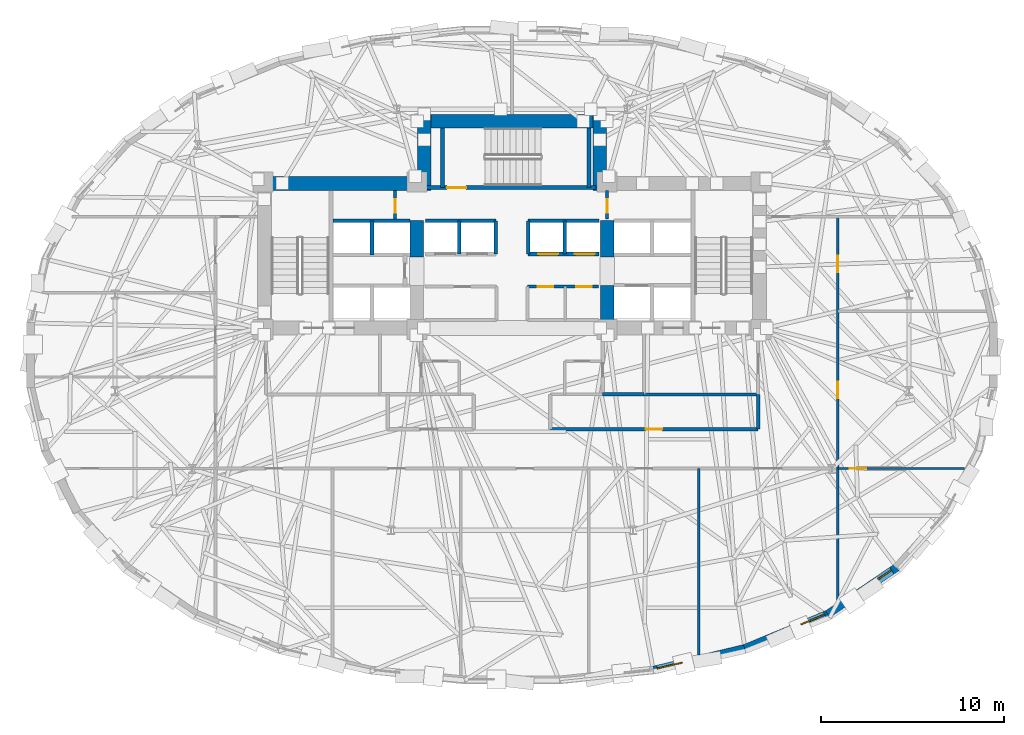
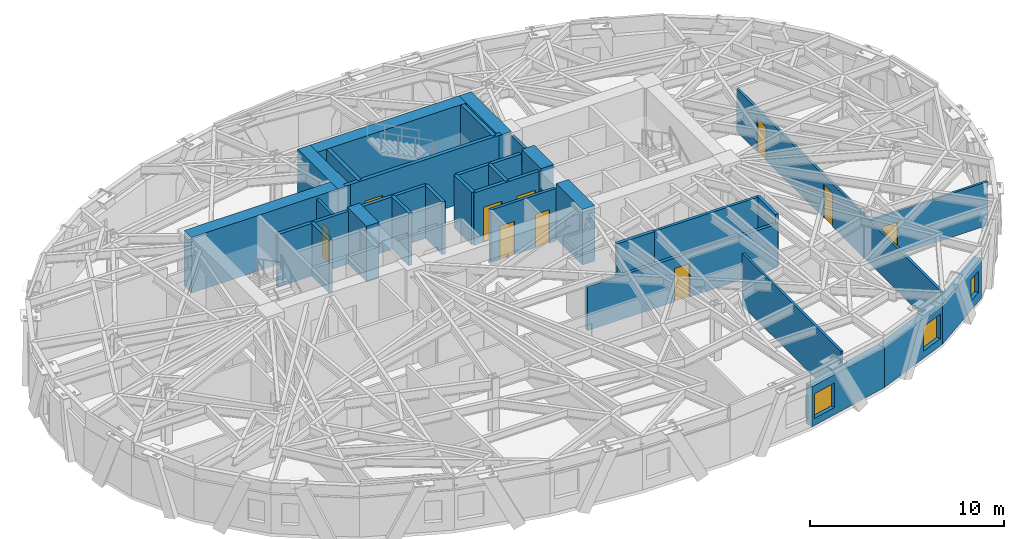
# One storey, part 8 of 14: 32 walls, 11 doors, 3 windows, 14 openings.
"""IFC4 building model written with IfcOpenShell, lengths in metres."""

from ifc_helpers import new_model, si_unit, direction, frame, frame_2d, origin, place, context, subcontext, project, spatial, rectangle, extrude, material, layer, layer_set, type_object, element, fill, save


model = new_model("IFC4")

# Units and contexts
model_context = context("Model", 3, precision=1e-05, world=origin(), true_north=direction((0.0, 1.0)))
body_context = subcontext(model_context, "Body", "Model", "MODEL_VIEW")
ifc_project = project(units=[si_unit("LENGTHUNIT", "METRE"), si_unit("AREAUNIT", "SQUARE_METRE"), si_unit("VOLUMEUNIT", "CUBIC_METRE"), si_unit("PLANEANGLEUNIT", "RADIAN"), si_unit("MASSUNIT", "GRAM", prefix="KILO")], contexts=[model_context])

# Site, building, storey
site_placement = place(None, origin())
site = spatial("IfcSite", under=ifc_project, at=site_placement, CompositionType="ELEMENT")
building_placement = place(site_placement, origin())
building = spatial("IfcBuilding", under=site, at=building_placement, Name="Keldmark Tower", CompositionType="ELEMENT")
storey_placement = place(building_placement, frame((0.0, 0.0, 117.60009765625)))
storey = spatial("IfcBuildingStorey", under=building, at=storey_placement, Name="L31", CompositionType="ELEMENT", Elevation=117.60009765625)

# Wall, openings, doors
ifc_material_1 = material(Name="Acoustic Double-Layer Gypsum Corridor Partition", Category="gypsum")
ifc_layer_1 = layer(ifc_material_1, 0.139892578125)
ifc_layer_set_1 = layer_set([ifc_layer_1], Name="Acoustic Double-Layer Gypsum Corridor Partition")
wall_type_1 = type_object("IfcWallType", Name="Acoustic Corridor Partition 140 mm", PredefinedType="PARTITIONING", material=ifc_layer_set_1)
wall_1_placement = place(storey_placement, frame((17.800048828125, -13.5166015625, 0.0), z_axis=(0.0, 0.0, 1.0), x_axis=(0.0, 1.0, 0.0)))
wall_1 = element("IfcWall", 1, at=wall_1_placement, inside=storey, type_object=wall_type_1, Name="L31 Acoustic Corridor Partition 140 mm COR-E", PredefinedType="PARTITIONING", context=body_context, shape_type="SweptSolid", body=[
    extrude(rectangle(XDim=21.066650390625, YDim=0.139892578125, at=frame_2d((10.533203125, 0.0))), origin(), (0.0, 0.0, 1.0), 2.68798828125),
])
opening_1_placement = place(wall_1_placement, frame((11.16650390625, 0.0, 0.0)))
opening_1 = element("IfcOpeningElement", 2, at=opening_1_placement, cuts=wall_1, Name="Opening D-IN090", PredefinedType="OPENING", context=body_context, shape_type="SweptSolid", body=[
    extrude(rectangle(XDim=0.89990234375, YDim=2.10009765625, at=frame_2d((0.449951171875, 1.050048828125))), frame((0.0, 0.079833984375, 0.0), z_axis=(0.0, -1.0, 0.0), x_axis=(1.0, 0.0, 0.0)), (0.0, 0.0, 1.0), 0.159912109375),
])
opening_2_placement = place(wall_1_placement, frame((18.04150390625, 0.0, 0.0)))
opening_2 = element("IfcOpeningElement", 3, at=opening_2_placement, cuts=wall_1, Name="Opening D-IN090", PredefinedType="OPENING", context=body_context, shape_type="SweptSolid", body=[
    extrude(rectangle(XDim=0.89990234375, YDim=2.10009765625, at=frame_2d((0.449951171875, 1.050048828125))), frame((0.0, 0.079833984375, 0.0), z_axis=(0.0, -1.0, 0.0), x_axis=(1.0, 0.0, 0.0)), (0.0, 0.0, 1.0), 0.159912109375),
])
ifc_material_2 = material(Name="Stained American White Oak Veneer", Category="wood")
door_type_1 = type_object("IfcDoorType", Name="Interior Door 900x2100", OperationType="NOTDEFINED", PredefinedType="DOOR", material=ifc_material_2)
door_1_placement = place(opening_1_placement, origin())
door_1 = element("IfcDoor", 4, at=door_1_placement, inside=storey, type_object=door_type_1, Name="L31 Interior Door 900x2100 D-ER-1-L31", OperationType="SINGLE_SWING_RIGHT", OverallHeight=2.10009765625, OverallWidth=0.89990234375, PredefinedType="DOOR", context=body_context, shape_type="SweptSolid", body=[
    extrude(rectangle(XDim=0.89990234375, YDim=2.10009765625, at=frame_2d((0.449951171875, 1.050048828125))), frame((0.0, 0.02490234375, 0.0), z_axis=(0.0, -1.0, 0.0), x_axis=(1.0, 0.0, 0.0)), (0.0, 0.0, 1.0), 0.050048828125),
])
fill(opening_1, door_1)
door_2_placement = place(opening_2_placement, origin())
door_2 = element("IfcDoor", 5, at=door_2_placement, inside=storey, type_object=door_type_1, Name="L31 Interior Door 900x2100 D-ER-2-L31", OperationType="SINGLE_SWING_LEFT", OverallHeight=2.10009765625, OverallWidth=0.89990234375, PredefinedType="DOOR", context=body_context, shape_type="SweptSolid", body=[
    extrude(rectangle(XDim=0.89990234375, YDim=2.10009765625, at=frame_2d((0.449951171875, 1.050048828125))), frame((0.0, 0.02490234375, 0.0), z_axis=(0.0, -1.0, 0.0), x_axis=(1.0, 0.0, 0.0)), (0.0, 0.0, 1.0), 0.050048828125),
])
fill(opening_2, door_2)

# Wall, opening, door
ifc_material_3 = material(Name="Heavy Acoustic Plumbing Chase Gypsum Assembly", Category="gypsum")
ifc_layer_2 = layer(ifc_material_3, 0.18994140625)
ifc_layer_set_2 = layer_set([ifc_layer_2], Name="Heavy Acoustic Plumbing Chase Gypsum Assembly")
wall_type_2 = type_object("IfcWallType", Name="Heavy Wet Wall 190 mm", PredefinedType="PLUMBINGWALL", material=ifc_layer_set_2)
wall_2_placement = place(storey_placement, frame((2.10009765625, -4.050048828125, 0.0), z_axis=(0.0, 0.0, 1.0), x_axis=(1.0, 0.0, 0.0)))
wall_2 = element("IfcWall", 6, at=wall_2_placement, inside=storey, type_object=wall_type_2, Name="L31 Heavy Wet Wall 190 mm SPK-E-S", PredefinedType="PLUMBINGWALL", context=body_context, shape_type="SweptSolid", body=[
    extrude(rectangle(XDim=11.349853515625, YDim=0.18994140625, at=frame_2d((5.6748046875, 0.0))), origin(), (0.0, 0.0, 1.0), 2.762939453125),
])
opening_3_placement = place(wall_2_placement, frame((5.199951171875, 0.0, 0.0)))
opening_3 = element("IfcOpeningElement", 7, at=opening_3_placement, cuts=wall_2, Name="Opening D-IN090", PredefinedType="OPENING", context=body_context, shape_type="SweptSolid", body=[
    extrude(rectangle(XDim=0.89990234375, YDim=2.10009765625, at=frame_2d((0.449951171875, 1.050048828125))), frame((0.0, 0.10498046875, 0.0), z_axis=(0.0, -1.0, 0.0), x_axis=(1.0, 0.0, 0.0)), (0.0, 0.0, 1.0), 0.2099609375),
])
door_3_placement = place(opening_3_placement, origin())
door_3 = element("IfcDoor", 8, at=door_3_placement, inside=storey, type_object=door_type_1, Name="L31 Interior Door 900x2100 D-SPKE1-L31", OperationType="SINGLE_SWING_RIGHT", OverallHeight=2.10009765625, OverallWidth=0.89990234375, PredefinedType="DOOR", context=body_context, shape_type="SweptSolid", body=[
    extrude(rectangle(XDim=0.89990234375, YDim=2.10009765625, at=frame_2d((0.449951171875, 1.050048828125))), frame((0.0, 0.02490234375, 0.0), z_axis=(0.0, -1.0, 0.0), x_axis=(1.0, 0.0, 0.0)), (0.0, 0.0, 1.0), 0.050048828125),
])
fill(opening_3, door_3)

# Walls
wall_3_placement = place(storey_placement, frame((13.449951171875, -4.050048828125, 0.0), z_axis=(0.0, 0.0, 1.0), x_axis=(0.0, 1.0, 0.0)))
element("IfcWall", 9, at=wall_3_placement, inside=storey, type_object=wall_type_2, Name="L31 Heavy Wet Wall 190 mm SPK-E-E", PredefinedType="PLUMBINGWALL", context=body_context, shape_type="SweptSolid", body=[
    extrude(rectangle(XDim=1.900146484375, YDim=0.18994140625, at=frame_2d((0.9501953125, 0.0))), origin(), (0.0, 0.0, 1.0), 3.309814453125),
])
ifc_material_4 = material(Name="Acoustic Gypsum Board Interior Partition", Category="gypsum")
ifc_layer_3 = layer(ifc_material_4, 0.1298828125)
ifc_layer_set_3 = layer_set([ifc_layer_3], Name="Acoustic Gypsum Board Interior Partition")
wall_type_3 = type_object("IfcWallType", Name="Interior Partition 130 mm", PredefinedType="PARTITIONING", material=ifc_layer_set_3)
wall_4_placement = place(storey_placement, frame((10.199951171875, -16.399658203125, 0.0), z_axis=(0.0, 0.0, 1.0), x_axis=(0.0, 1.0, 0.0)))
element("IfcWall", 10, at=wall_4_placement, inside=storey, type_object=wall_type_3, Name="L31 Interior Partition 130 mm S-DIV-4", PredefinedType="PARTITIONING", context=body_context, shape_type="SweptSolid", body=[
    extrude(rectangle(XDim=10.19970703125, YDim=0.1298828125, at=frame_2d((5.099853515625, 0.0))), origin(), (0.0, 0.0, 1.0), 3.309814453125),
])

# Wall, opening, door
wall_5_placement = place(storey_placement, frame((17.800048828125, -6.199951171875, 0.0), z_axis=(0.0, 0.0, 1.0), x_axis=(1.0, 0.0, 0.0)))
wall_5 = element("IfcWall", 11, at=wall_5_placement, inside=storey, type_object=wall_type_3, Name="L31 Interior Partition 130 mm E-CAP-S", PredefinedType="PARTITIONING", context=body_context, shape_type="SweptSolid", body=[
    extrude(rectangle(XDim=6.9365234375, YDim=0.1298828125, at=frame_2d((3.46826171875, 0.0))), origin(), (0.0, 0.0, 1.0), 2.762939453125),
])
opening_4_placement = place(wall_5_placement, frame((0.64990234375, 0.0, 0.0)))
opening_4 = element("IfcOpeningElement", 12, at=opening_4_placement, cuts=wall_5, Name="Opening D-IN090", PredefinedType="OPENING", context=body_context, shape_type="SweptSolid", body=[
    extrude(rectangle(XDim=0.89990234375, YDim=2.10009765625, at=frame_2d((0.449951171875, 1.050048828125))), frame((0.0, 0.074951171875, 0.0), z_axis=(0.0, -1.0, 0.0), x_axis=(1.0, 0.0, 0.0)), (0.0, 0.0, 1.0), 0.14990234375),
])
door_4_placement = place(opening_4_placement, origin())
door_4 = element("IfcDoor", 13, at=door_4_placement, inside=storey, type_object=door_type_1, Name="L31 Interior Door 900x2100 D-ERSE-L31", OperationType="SINGLE_SWING_RIGHT", OverallHeight=2.10009765625, OverallWidth=0.89990234375, PredefinedType="DOOR", context=body_context, shape_type="SweptSolid", body=[
    extrude(rectangle(XDim=0.89990234375, YDim=2.10009765625, at=frame_2d((0.449951171875, 1.050048828125))), frame((0.0, 0.02490234375, 0.0), z_axis=(0.0, -1.0, 0.0), x_axis=(1.0, 0.0, 0.0)), (0.0, 0.0, 1.0), 0.050048828125),
])
fill(opening_4, door_4)

# Walls
ifc_material_5 = material(Name="Concrete C70/85", Category="concrete")
ifc_layer_4 = layer(ifc_material_5, 0.75)
ifc_layer_set_4 = layer_set([ifc_layer_4], Name="Concrete C70/85")
wall_type_4 = type_object("IfcWallType", Name="Low-Mid Core Shear Wall 750 mm", PredefinedType="SHEAR", material=ifc_layer_set_4)
wall_6_placement = place(storey_placement, frame((-13.89990234375, 9.375, 0.0), z_axis=(0.0, 0.0, 1.0), x_axis=(1.0, 0.0, 0.0)))
element("IfcWall", 14, at=wall_6_placement, inside=storey, type_object=wall_type_4, Name="L31 West Core North Shear Wall", PredefinedType="SHEAR", context=body_context, shape_type="SweptSolid", body=[
    extrude(rectangle(XDim=9.474853515625, YDim=0.75, at=frame_2d((4.7373046875, 0.0))), origin(), (0.0, 0.0, 1.0), 3.5),
])
wall_7_placement = place(storey_placement, frame((-5.199951171875, 5.35009765625, 0.0), z_axis=(0.0, 0.0, 1.0), x_axis=(0.0, 1.0, 0.0)))
element("IfcWall", 15, at=wall_7_placement, inside=storey, type_object=wall_type_4, Name="L31 West Core Inner Shear Pier North", PredefinedType="SHEAR", context=body_context, shape_type="SweptSolid", body=[
    extrude(rectangle(XDim=2.0, YDim=0.75, at=frame_2d((1.0, 0.0))), origin(), (0.0, 0.0, 1.0), 3.5),
])
wall_8_placement = place(storey_placement, frame((5.199951171875, 1.10009765625, 0.0), z_axis=(0.0, 0.0, 1.0), x_axis=(0.0, 1.0, 0.0)))
element("IfcWall", 16, at=wall_8_placement, inside=storey, type_object=wall_type_4, Name="L31 East Core Inner Shear Pier South", PredefinedType="SHEAR", context=body_context, shape_type="SweptSolid", body=[
    extrude(rectangle(XDim=2.699951171875, YDim=0.75, at=frame_2d((1.35009765625, 0.0))), origin(), (0.0, 0.0, 1.0), 3.5),
])
wall_9_placement = place(storey_placement, frame((5.199951171875, 5.35009765625, 0.0), z_axis=(0.0, 0.0, 1.0), x_axis=(0.0, 1.0, 0.0)))
element("IfcWall", 17, at=wall_9_placement, inside=storey, type_object=wall_type_4, Name="L31 East Core Inner Shear Pier North", PredefinedType="SHEAR", context=body_context, shape_type="SweptSolid", body=[
    extrude(rectangle(XDim=2.0, YDim=0.75, at=frame_2d((1.0, 0.0))), origin(), (0.0, 0.0, 1.0), 3.5),
])
wall_10_placement = place(storey_placement, frame((-5.175048828125, 12.77490234375, 0.0), z_axis=(0.0, 0.0, 1.0), x_axis=(1.0, 0.0, 0.0)))
element("IfcWall", 18, at=wall_10_placement, inside=storey, type_object=wall_type_4, Name="L31 North Core Shear Wall", PredefinedType="SHEAR", context=body_context, shape_type="SweptSolid", body=[
    extrude(rectangle(XDim=10.35009765625, YDim=0.75, at=frame_2d((5.175048828125, 0.0))), origin(), (0.0, 0.0, 1.0), 3.5),
])
for number, where, z_axis, x_axis, name in (
    (19, (-4.800048828125, 9.0, 0.0), (0.0, 0.0, 1.0), (0.0, 1.0, 0.0), "L31 North Core West Shear Wall"),
    (20, (4.800048828125, 9.0, 0.0), (0.0, 0.0, 1.0), (0.0, 1.0, 0.0), "L31 North Core East Shear Wall"),
):
    element("IfcWall", number, at=place(storey_placement, frame(where, z_axis=z_axis, x_axis=x_axis)), inside=storey, type_object=wall_type_4, Name=name, PredefinedType="SHEAR", context=body_context, shape_type="SweptSolid", body=[
        extrude(rectangle(XDim=4.14990234375, YDim=0.75, at=frame_2d((2.074951171875, 0.0))), origin(), (0.0, 0.0, 1.0), 3.5),
    ])
ifc_material_6 = material(Name="Type X Fire-Rated Gypsum Partition Assembly", Category="gypsum")
ifc_layer_5 = layer(ifc_material_6, 0.1650390625)
ifc_layer_set_5 = layer_set([ifc_layer_5], Name="Type X Fire-Rated Gypsum Partition Assembly")
wall_type_5 = type_object("IfcWallType", Name="Rated Partition 165 mm", PredefinedType="PARTITIONING", material=ifc_layer_set_5)
wall_11_placement = place(storey_placement, frame((7.199951171875, -2.14990234375, 0.0), z_axis=(0.0, 0.0, 1.0), x_axis=(1.0, 0.0, 0.0)))
element("IfcWall", 21, at=wall_11_placement, inside=storey, type_object=wall_type_5, Name="L31 Rated Partition 165 mm FSAE-E-S", PredefinedType="PARTITIONING", context=body_context, shape_type="SweptSolid", body=[
    extrude(rectangle(XDim=6.25, YDim=0.1650390625, at=frame_2d((3.125, 0.0))), origin(), (0.0, 0.0, 1.0), 3.309814453125),
])

# Wall, openings, doors
wall_12_placement = place(storey_placement, frame((0.85009765625, 3.739990234375, 0.0), z_axis=(0.0, 0.0, 1.0), x_axis=(1.0, 0.0, 0.0)))
wall_12 = element("IfcWall", 22, at=wall_12_placement, inside=storey, type_object=wall_type_5, Name="L31 Rated Partition 165 mm REC-LE-N", PredefinedType="PARTITIONING", context=body_context, shape_type="SweptSolid", body=[
    extrude(rectangle(XDim=3.889892578125, YDim=0.1650390625, at=frame_2d((1.94482421875, 0.0))), origin(), (0.0, 0.0, 1.0), 3.309814453125),
])
opening_5_placement = place(wall_12_placement, frame((0.550048828125, 0.0, 0.0)))
opening_5 = element("IfcOpeningElement", 23, at=opening_5_placement, cuts=wall_12, Name="Opening D-SV085", PredefinedType="OPENING", context=body_context, shape_type="SweptSolid", body=[
    extrude(rectangle(XDim=0.85009765625, YDim=2.10009765625, at=frame_2d((0.425048828125, 1.050048828125))), frame((0.0, 0.092529296875, 0.0), z_axis=(0.0, -1.0, 0.0), x_axis=(1.0, 0.0, 0.0)), (0.0, 0.0, 1.0), 0.18505859375),
])
opening_6_placement = place(wall_12_placement, frame((2.64990234375, 0.0, 0.0)))
opening_6 = element("IfcOpeningElement", 24, at=opening_6_placement, cuts=wall_12, Name="Opening D-SV085", PredefinedType="OPENING", context=body_context, shape_type="SweptSolid", body=[
    extrude(rectangle(XDim=0.85009765625, YDim=2.10009765625, at=frame_2d((0.425048828125, 1.050048828125))), frame((0.0, 0.092529296875, 0.0), z_axis=(0.0, -1.0, 0.0), x_axis=(1.0, 0.0, 0.0)), (0.0, 0.0, 1.0), 0.18505859375),
])
ifc_material_7 = material(Name="Painted Hollow Metal Door Assembly", Category="metal")
door_type_2 = type_object("IfcDoorType", Name="Service Door 850x2100", OperationType="NOTDEFINED", PredefinedType="DOOR", material=ifc_material_7)
door_5_placement = place(opening_5_placement, origin())
door_5 = element("IfcDoor", 25, at=door_5_placement, inside=storey, type_object=door_type_2, Name="L31 Service Door 850x2100 D-RECLE1-L31", OperationType="SINGLE_SWING_LEFT", OverallHeight=2.10009765625, OverallWidth=0.85009765625, PredefinedType="DOOR", context=body_context, shape_type="SweptSolid", body=[
    extrude(rectangle(XDim=0.85009765625, YDim=2.10009765625, at=frame_2d((0.425048828125, 1.050048828125))), frame((0.0, 0.02490234375, 0.0), z_axis=(0.0, -1.0, 0.0), x_axis=(1.0, 0.0, 0.0)), (0.0, 0.0, 1.0), 0.050048828125),
])
fill(opening_5, door_5)
door_6_placement = place(opening_6_placement, origin())
door_6 = element("IfcDoor", 26, at=door_6_placement, inside=storey, type_object=door_type_2, Name="L31 Service Door 850x2100 D-RECLE2-L31", OperationType="SINGLE_SWING_RIGHT", OverallHeight=2.10009765625, OverallWidth=0.85009765625, PredefinedType="DOOR", context=body_context, shape_type="SweptSolid", body=[
    extrude(rectangle(XDim=0.85009765625, YDim=2.10009765625, at=frame_2d((0.425048828125, 1.050048828125))), frame((0.0, 0.02490234375, 0.0), z_axis=(0.0, -1.0, 0.0), x_axis=(1.0, 0.0, 0.0)), (0.0, 0.0, 1.0), 0.050048828125),
])
fill(opening_6, door_6)

# Wall, opening, door
wall_13_placement = place(storey_placement, frame((-6.3798828125, 7.419921875, 0.0), z_axis=(0.0, 0.0, 1.0), x_axis=(0.0, 1.0, 0.0)))
wall_13 = element("IfcWall", 27, at=wall_13_placement, inside=storey, type_object=wall_type_5, Name="L31 Rated Partition 165 mm CS-NW-E", PredefinedType="PARTITIONING", context=body_context, shape_type="SweptSolid", body=[
    extrude(rectangle(XDim=1.580078125, YDim=0.1650390625, at=frame_2d((0.7900390625, 0.0))), origin(), (0.0, 0.0, 1.0), 3.309814453125),
])
opening_7_placement = place(wall_13_placement, frame((0.35009765625, 0.0, 0.0)))
opening_7 = element("IfcOpeningElement", 28, at=opening_7_placement, cuts=wall_13, Name="Opening D-RS075", PredefinedType="OPENING", context=body_context, shape_type="SweptSolid", body=[
    extrude(rectangle(XDim=0.75, YDim=2.10009765625, at=frame_2d((0.375, 1.050048828125))), frame((0.0, 0.092529296875, 0.0), z_axis=(0.0, -1.0, 0.0), x_axis=(1.0, 0.0, 0.0)), (0.0, 0.0, 1.0), 0.18505859375),
])
ifc_material_8 = material(Name="Galvanized Fire-Rated Access Leaf", Category="metal")
door_type_3 = type_object("IfcDoorType", Name="Riser Access Door 750x2100", OperationType="NOTDEFINED", PredefinedType="DOOR", material=ifc_material_8)
door_7_placement = place(opening_7_placement, origin())
door_7 = element("IfcDoor", 29, at=door_7_placement, inside=storey, type_object=door_type_3, Name="L31 Riser Access Door 750x2100 D-CSNW1-L31", OperationType="SINGLE_SWING_RIGHT", OverallHeight=2.10009765625, OverallWidth=0.75, PredefinedType="DOOR", context=body_context, shape_type="SweptSolid", body=[
    extrude(rectangle(XDim=0.75, YDim=2.10009765625, at=frame_2d((0.375, 1.050048828125))), frame((0.0, 0.02490234375, 0.0), z_axis=(0.0, -1.0, 0.0), x_axis=(1.0, 0.0, 0.0)), (0.0, 0.0, 1.0), 0.050048828125),
])
fill(opening_7, door_7)

wall_14_placement = place(storey_placement, frame((5.199951171875, 7.419921875, 0.0), z_axis=(0.0, 0.0, 1.0), x_axis=(0.0, 1.0, 0.0)))
wall_14 = element("IfcWall", 30, at=wall_14_placement, inside=storey, type_object=wall_type_5, Name="L31 Rated Partition 165 mm CS-NE-W", PredefinedType="PARTITIONING", context=body_context, shape_type="SweptSolid", body=[
    extrude(rectangle(XDim=1.580078125, YDim=0.1650390625, at=frame_2d((0.7900390625, 0.0))), origin(), (0.0, 0.0, 1.0), 3.309814453125),
])
opening_8_placement = place(wall_14_placement, frame((0.35009765625, 0.0, 0.0)))
opening_8 = element("IfcOpeningElement", 31, at=opening_8_placement, cuts=wall_14, Name="Opening D-RS075", PredefinedType="OPENING", context=body_context, shape_type="SweptSolid", body=[
    extrude(rectangle(XDim=0.75, YDim=2.10009765625, at=frame_2d((0.375, 1.050048828125))), frame((0.0, 0.092529296875, 0.0), z_axis=(0.0, -1.0, 0.0), x_axis=(1.0, 0.0, 0.0)), (0.0, 0.0, 1.0), 0.18505859375),
])
door_8_placement = place(opening_8_placement, origin())
door_8 = element("IfcDoor", 32, at=door_8_placement, inside=storey, type_object=door_type_3, Name="L31 Riser Access Door 750x2100 D-CSNE1-L31", OperationType="SINGLE_SWING_LEFT", OverallHeight=2.10009765625, OverallWidth=0.75, PredefinedType="DOOR", context=body_context, shape_type="SweptSolid", body=[
    extrude(rectangle(XDim=0.75, YDim=2.10009765625, at=frame_2d((0.375, 1.050048828125))), frame((0.0, 0.02490234375, 0.0), z_axis=(0.0, -1.0, 0.0), x_axis=(1.0, 0.0, 0.0)), (0.0, 0.0, 1.0), 0.050048828125),
])
fill(opening_8, door_8)

# Walls
ifc_material_9 = material(Name="Fire-Resistant Type X Gypsum Shaftliner Coreboard", Category="gypsum")
ifc_layer_6 = layer(ifc_material_9, 0.199951171875)
ifc_layer_set_6 = layer_set([ifc_layer_6], Name="Fire-Resistant Type X Gypsum Shaftliner Coreboard")
wall_type_6 = type_object("IfcWallType", Name="Shaft Wall 200 mm", PredefinedType="SOLIDWALL", material=ifc_layer_set_6)
wall_15_placement = place(storey_placement, frame((4.949951171875, -2.14990234375, 0.0), z_axis=(0.0, 0.0, 1.0), x_axis=(1.0, 0.0, 0.0)))
element("IfcWall", 33, at=wall_15_placement, inside=storey, type_object=wall_type_6, Name="L31 Shaft Wall 200 mm RIS-SE-S", PredefinedType="SOLIDWALL", context=body_context, shape_type="SweptSolid", body=[
    extrude(rectangle(XDim=2.25, YDim=0.199951171875, at=frame_2d((1.125, 0.0))), origin(), (0.0, 0.0, 1.0), 3.309814453125),
])
wall_16_placement = place(storey_placement, frame((-9.780029296875, 7.330078125, 0.0), z_axis=(0.0, 0.0, 1.0), x_axis=(1.0, 0.0, 0.0)))
element("IfcWall", 34, at=wall_16_placement, inside=storey, type_object=wall_type_6, Name="L31 Shaft Wall 200 mm HW-W-TOP", PredefinedType="SOLIDWALL", context=body_context, shape_type="SweptSolid", body=[
    extrude(rectangle(XDim=4.205078125, YDim=0.199951171875, at=frame_2d((2.1025390625, 0.0))), origin(), (0.0, 0.0, 1.0), 3.309814453125),
])
wall_17_placement = place(storey_placement, frame((-7.64990234375, 5.469970703125, 0.0), z_axis=(0.0, 0.0, 1.0), x_axis=(0.0, 1.0, 0.0)))
element("IfcWall", 35, at=wall_17_placement, inside=storey, type_object=wall_type_6, Name="L31 Shaft Wall 200 mm HW-W-NM", PredefinedType="SOLIDWALL", context=body_context, shape_type="SweptSolid", body=[
    extrude(rectangle(XDim=1.860107421875, YDim=0.199951171875, at=frame_2d((0.93017578125, 0.0))), origin(), (0.0, 0.0, 1.0), 3.309814453125),
])

# Wall, openings, doors
wall_18_placement = place(storey_placement, frame((0.8798828125, 5.52001953125, 0.0), z_axis=(0.0, 0.0, 1.0), x_axis=(1.0, 0.0, 0.0)))
wall_18 = element("IfcWall", 36, at=wall_18_placement, inside=storey, type_object=wall_type_6, Name="L31 Shaft Wall 200 mm MID-S-E", PredefinedType="SOLIDWALL", context=body_context, shape_type="SweptSolid", body=[
    extrude(rectangle(XDim=3.860107421875, YDim=0.199951171875, at=frame_2d((1.93017578125, 0.0))), origin(), (0.0, 0.0, 1.0), 3.309814453125),
])
opening_9_placement = place(wall_18_placement, frame((0.550048828125, 0.0, 0.0)))
opening_9 = element("IfcOpeningElement", 37, at=opening_9_placement, cuts=wall_18, Name="Opening LD-110", PredefinedType="OPENING", context=body_context, shape_type="SweptSolid", body=[
    extrude(rectangle(XDim=1.10009765625, YDim=2.199951171875, at=frame_2d((0.550048828125, 1.10009765625))), frame((0.0, 0.10986328125, 0.0), z_axis=(0.0, -1.0, 0.0), x_axis=(1.0, 0.0, 0.0)), (0.0, 0.0, 1.0), 0.219970703125),
])
opening_10_placement = place(wall_18_placement, frame((2.550048828125, 0.0, 0.0)))
opening_10 = element("IfcOpeningElement", 38, at=opening_10_placement, cuts=wall_18, Name="Opening LD-110", PredefinedType="OPENING", context=body_context, shape_type="SweptSolid", body=[
    extrude(rectangle(XDim=1.10009765625, YDim=2.199951171875, at=frame_2d((0.550048828125, 1.10009765625))), frame((0.0, 0.10986328125, 0.0), z_axis=(0.0, -1.0, 0.0), x_axis=(1.0, 0.0, 0.0)), (0.0, 0.0, 1.0), 0.219970703125),
])
ifc_material_10 = material(Name="Brushed Bronze Hoistway Sliding Leaf", Category="metal")
door_type_4 = type_object("IfcDoorType", Name="Lift Landing Sliding Door 1100x2200", OperationType="SLIDING_TO_LEFT", PredefinedType="DOOR", material=ifc_material_10)
door_9_placement = place(opening_9_placement, origin())
door_9 = element("IfcDoor", 39, at=door_9_placement, inside=storey, type_object=door_type_4, Name="L31 Lift Landing Sliding Door 1100x2200 LD-EL-M3-L31", OperationType="SLIDING_TO_LEFT", OverallHeight=2.199951171875, OverallWidth=1.10009765625, PredefinedType="DOOR", context=body_context, shape_type="SweptSolid", body=[
    extrude(rectangle(XDim=1.10009765625, YDim=2.199951171875, at=frame_2d((0.550048828125, 1.10009765625))), frame((0.0, 0.02490234375, 0.0), z_axis=(0.0, -1.0, 0.0), x_axis=(1.0, 0.0, 0.0)), (0.0, 0.0, 1.0), 0.050048828125),
])
fill(opening_9, door_9)
door_10_placement = place(opening_10_placement, origin())
door_10 = element("IfcDoor", 40, at=door_10_placement, inside=storey, type_object=door_type_4, Name="L31 Lift Landing Sliding Door 1100x2200 LD-EL-M4-L31", OperationType="SLIDING_TO_LEFT", OverallHeight=2.199951171875, OverallWidth=1.10009765625, PredefinedType="DOOR", context=body_context, shape_type="SweptSolid", body=[
    extrude(rectangle(XDim=1.10009765625, YDim=2.199951171875, at=frame_2d((0.550048828125, 1.10009765625))), frame((0.0, 0.02490234375, 0.0), z_axis=(0.0, -1.0, 0.0), x_axis=(1.0, 0.0, 0.0)), (0.0, 0.0, 1.0), 0.050048828125),
])
fill(opening_10, door_10)

# Walls
for number, where, z_axis, x_axis, name in (
    (41, (-4.739990234375, 7.330078125, 0.0), (0.0, 0.0, 1.0), (1.0, 0.0, 0.0), "L31 Shaft Wall 200 mm MID-N-W"),
    (42, (0.8798828125, 7.330078125, 0.0), (0.0, 0.0, 1.0), (1.0, 0.0, 0.0), "L31 Shaft Wall 200 mm MID-N-E"),
):
    element("IfcWall", number, at=place(storey_placement, frame(where, z_axis=z_axis, x_axis=x_axis)), inside=storey, type_object=wall_type_6, Name=name, PredefinedType="SOLIDWALL", context=body_context, shape_type="SweptSolid", body=[
        extrude(rectangle(XDim=3.860107421875, YDim=0.199951171875, at=frame_2d((1.93017578125, 0.0))), origin(), (0.0, 0.0, 1.0), 3.309814453125),
    ])
for number, where, z_axis, x_axis, name in (
    (43, (-2.8798828125, 5.52001953125, 0.0), (0.0, 0.0, 1.0), (0.0, 1.0, 0.0), "L31 Shaft Wall 200 mm MID-M-W"),
    (44, (2.8798828125, 5.52001953125, 0.0), (0.0, 0.0, 1.0), (0.0, 1.0, 0.0), "L31 Shaft Wall 200 mm MID-M-E"),
    (45, (-0.8798828125, 5.52001953125, 0.0), (0.0, 0.0, 1.0), (0.0, 1.0, 0.0), "L31 Shaft Wall 200 mm MID-C-W"),
    (46, (0.8798828125, 5.52001953125, 0.0), (0.0, 0.0, 1.0), (0.0, 1.0, 0.0), "L31 Shaft Wall 200 mm MID-C-E"),
):
    element("IfcWall", number, at=place(storey_placement, frame(where, z_axis=z_axis, x_axis=x_axis)), inside=storey, type_object=wall_type_6, Name=name, PredefinedType="SOLIDWALL", context=body_context, shape_type="SweptSolid", body=[
        extrude(rectangle(XDim=1.81005859375, YDim=0.199951171875, at=frame_2d((0.905029296875, 0.0))), origin(), (0.0, 0.0, 1.0), 3.309814453125),
    ])

# Wall, opening, door
ifc_material_11 = material(Name="Concrete C50/60", Category="concrete")
ifc_layer_7 = layer(ifc_material_11, 0.219970703125)
ifc_layer_set_7 = layer_set([ifc_layer_7], Name="Concrete C50/60")
wall_type_7 = type_object("IfcWallType", Name="Stair Core Shear Wall 220 mm", PredefinedType="SHEAR", material=ifc_layer_set_7)
wall_19_placement = place(storey_placement, frame((-4.699951171875, 9.139892578125, 0.0), z_axis=(0.0, 0.0, 1.0), x_axis=(1.0, 0.0, 0.0)))
wall_19 = element("IfcWall", 47, at=wall_19_placement, inside=storey, type_object=wall_type_7, Name="L31 Central Stair Core South Shear Wall", PredefinedType="SHEAR", context=body_context, shape_type="SweptSolid", body=[
    extrude(rectangle(XDim=9.300048828125, YDim=0.219970703125, at=frame_2d((4.64990234375, 0.0))), origin(), (0.0, 0.0, 1.0), 3.5),
])
opening_11_placement = place(wall_19_placement, frame((1.14990234375, 0.0, 0.0)))
opening_11 = element("IfcOpeningElement", 48, at=opening_11_placement, cuts=wall_19, Name="Opening D-ST105", PredefinedType="OPENING", context=body_context, shape_type="SweptSolid", body=[
    extrude(rectangle(XDim=1.050048828125, YDim=2.14990234375, at=frame_2d((0.52490234375, 1.074951171875))), frame((0.0, 0.119873046875, 0.0), z_axis=(0.0, -1.0, 0.0), x_axis=(1.0, 0.0, 0.0)), (0.0, 0.0, 1.0), 0.239990234375),
])
ifc_material_12 = material(Name="Hollow Metal Fire-Rated Door Assembly", Category="metal")
door_type_5 = type_object("IfcDoorType", Name="Stair Fire Door 1050x2150", OperationType="NOTDEFINED", PredefinedType="DOOR", material=ifc_material_12)
door_11_placement = place(opening_11_placement, origin())
door_11 = element("IfcDoor", 49, at=door_11_placement, inside=storey, type_object=door_type_5, Name="L31 Stair Fire Door 1050x2150 D-ST3-L31", OperationType="SINGLE_SWING_RIGHT", OverallHeight=2.14990234375, OverallWidth=1.050048828125, PredefinedType="DOOR", context=body_context, shape_type="SweptSolid", body=[
    extrude(rectangle(XDim=1.050048828125, YDim=2.14990234375, at=frame_2d((0.52490234375, 1.074951171875))), frame((0.0, 0.02490234375, 0.0), z_axis=(0.0, -1.0, 0.0), x_axis=(1.0, 0.0, 0.0)), (0.0, 0.0, 1.0), 0.050048828125),
])
fill(opening_11, door_11)

# Walls
for number, where, z_axis, x_axis, name in (
    (50, (-3.784912109375, 9.139892578125, 0.0), (0.0, 0.0, 1.0), (0.0, 1.0, 0.0), "L31 Central Stair Core West Shear Wall"),
    (51, (4.215087890625, 9.139892578125, 0.0), (0.0, 0.0, 1.0), (0.0, 1.0, 0.0), "L31 Central Stair Core East Shear Wall"),
):
    element("IfcWall", number, at=place(storey_placement, frame(where, z_axis=z_axis, x_axis=x_axis)), inside=storey, type_object=wall_type_7, Name=name, PredefinedType="SHEAR", context=body_context, shape_type="SweptSolid", body=[
        extrude(rectangle(XDim=3.260009765625, YDim=0.219970703125, at=frame_2d((1.6298828125, 0.0))), origin(), (0.0, 0.0, 1.0), 3.5),
    ])

# Wall, opening, window
ifc_material_13 = material(Name="Ironspot Manganese Brick and Kasota Buff Limestone Spandrel Assembly", Category="masonry")
ifc_layer_8 = layer(ifc_material_13, 0.43994140625)
ifc_layer_set_8 = layer_set([ifc_layer_8], Name="Ironspot Manganese Brick and Kasota Buff Limestone Spandrel Assembly")
wall_type_8 = type_object("IfcWallType", Name="Tower Brick Pier and Spandrel Wall 440 mm", PredefinedType="STANDARD", material=ifc_layer_set_8)
wall_20_placement = place(storey_placement, frame((12.750732421875, -16.023681640625, 0.0), z_axis=(0.0, 0.0, 1.0), x_axis=(-0.972539655933, -0.232737228734, 0.0)))
wall_20 = element("IfcWall", 52, at=wall_20_placement, inside=storey, type_object=wall_type_8, Name="L31 Exterior Brick and Spandrel Wall 26", PredefinedType="STANDARD", context=body_context, shape_type="SweptSolid", body=[
    extrude(rectangle(XDim=5.14208984375, YDim=0.43994140625, at=frame_2d((2.571044921875, 0.0))), origin(), (0.0, 0.0, 1.0), 2.52783203125),
])
opening_12_placement = place(wall_20_placement, frame((3.542236328125, 0.0, 0.449951171875)))
opening_12 = element("IfcOpeningElement", 53, at=opening_12_placement, cuts=wall_20, Name="Opening W-08", PredefinedType="OPENING", context=body_context, shape_type="SweptSolid", body=[
    extrude(rectangle(XDim=1.39990234375, YDim=1.550048828125, at=frame_2d((0.699951171875, 0.77490234375))), frame((0.0, 0.22998046875, 0.0), z_axis=(0.0, -1.0, 0.0), x_axis=(1.0, 0.0, 0.0)), (0.0, 0.0, 1.0), 0.4599609375),
])
ifc_material_14 = material(Name="Thermally Broken Anodized Aluminum and Triple Low-E Argon Glazing", Category="aluminium")
window_type_1 = type_object("IfcWindowType", Name="Residential Corner Punched Window 1400x1550", PartitioningType="SINGLE_PANEL", PredefinedType="WINDOW", material=ifc_material_14)
window_1_placement = place(opening_12_placement, origin())
window_1 = element("IfcWindow", 54, at=window_1_placement, inside=storey, type_object=window_type_1, Name="L31 Deep-Set Window 26", OverallHeight=1.550048828125, OverallWidth=1.39990234375, PartitioningType="SINGLE_PANEL", PredefinedType="WINDOW", context=body_context, shape_type="SweptSolid", body=[
    extrude(rectangle(XDim=1.39990234375, YDim=1.550048828125, at=frame_2d((0.699951171875, 0.77490234375))), frame((0.0, -0.010009765625, 0.0), z_axis=(0.0, -1.0, 0.0), x_axis=(1.0, 0.0, 0.0)), (0.0, 0.0, 1.0), 0.06005859375),
])
fill(opening_12, window_1)

wall_21_placement = place(storey_placement, frame((17.285888671875, -14.14599609375, 0.0), z_axis=(0.0, 0.0, 1.0), x_axis=(-0.924140141084, -0.382053660678, 0.0)))
wall_21 = element("IfcWall", 55, at=wall_21_placement, inside=storey, type_object=wall_type_8, Name="L31 Exterior Brick and Spandrel Wall 27", PredefinedType="STANDARD", context=body_context, shape_type="SweptSolid", body=[
    extrude(rectangle(XDim=4.94287109375, YDim=0.43994140625, at=frame_2d((2.471435546875, 0.0))), origin(), (0.0, 0.0, 1.0), 2.52783203125),
])
opening_13_placement = place(wall_21_placement, frame((0.199951171875, 0.0, 0.449951171875)))
opening_13 = element("IfcOpeningElement", 56, at=opening_13_placement, cuts=wall_21, Name="Opening W-08", PredefinedType="OPENING", context=body_context, shape_type="SweptSolid", body=[
    extrude(rectangle(XDim=1.39990234375, YDim=1.550048828125, at=frame_2d((0.699951171875, 0.77490234375))), frame((0.0, 0.22998046875, 0.0), z_axis=(0.0, -1.0, 0.0), x_axis=(1.0, 0.0, 0.0)), (0.0, 0.0, 1.0), 0.4599609375),
])
window_2_placement = place(opening_13_placement, origin())
window_2 = element("IfcWindow", 57, at=window_2_placement, inside=storey, type_object=window_type_1, Name="L31 Deep-Set Window 27", OverallHeight=1.550048828125, OverallWidth=1.39990234375, PartitioningType="SINGLE_PANEL", PredefinedType="WINDOW", context=body_context, shape_type="SweptSolid", body=[
    extrude(rectangle(XDim=1.39990234375, YDim=1.550048828125, at=frame_2d((0.699951171875, 0.77490234375))), frame((0.0, -0.010009765625, 0.0), z_axis=(0.0, -1.0, 0.0), x_axis=(1.0, 0.0, 0.0)), (0.0, 0.0, 1.0), 0.06005859375),
])
fill(opening_13, window_2)

wall_22_placement = place(storey_placement, frame((21.0419921875, -11.593994140625, 0.0), z_axis=(0.0, 0.0, 1.0), x_axis=(-0.827700115196, -0.561170668607, 0.0)))
wall_22 = element("IfcWall", 58, at=wall_22_placement, inside=storey, type_object=wall_type_8, Name="L31 Exterior Brick and Spandrel Wall 28", PredefinedType="STANDARD", context=body_context, shape_type="SweptSolid", body=[
    extrude(rectangle(XDim=4.58544921875, YDim=0.43994140625, at=frame_2d((2.292724609375, 0.0))), origin(), (0.0, 0.0, 1.0), 2.52783203125),
])
opening_14_placement = place(wall_22_placement, frame((0.349365234375, 0.0, 0.580078125)))
opening_14 = element("IfcOpeningElement", 59, at=opening_14_placement, cuts=wall_22, Name="Opening W-09", PredefinedType="OPENING", context=body_context, shape_type="SweptSolid", body=[
    extrude(rectangle(XDim=0.89990234375, YDim=1.35009765625, at=frame_2d((0.449951171875, 0.675048828125))), frame((0.0, 0.22998046875, 0.0), z_axis=(0.0, -1.0, 0.0), x_axis=(1.0, 0.0, 0.0)), (0.0, 0.0, 1.0), 0.4599609375),
])
ifc_material_15 = material(Name="Thermally Broken Anodized Aluminum and Triple Low-E Argon Glazing", Category="aluminium")
window_type_2 = type_object("IfcWindowType", Name="Corner Pier Deep-Set Window 900x1350", PartitioningType="SINGLE_PANEL", PredefinedType="WINDOW", material=ifc_material_15)
window_3_placement = place(opening_14_placement, origin())
window_3 = element("IfcWindow", 60, at=window_3_placement, inside=storey, type_object=window_type_2, Name="L31 Deep-Set Window 28", OverallHeight=1.35009765625, OverallWidth=0.89990234375, PartitioningType="SINGLE_PANEL", PredefinedType="WINDOW", context=body_context, shape_type="SweptSolid", body=[
    extrude(rectangle(XDim=0.89990234375, YDim=1.35009765625, at=frame_2d((0.449951171875, 0.675048828125))), frame((0.0, -0.010009765625, 0.0), z_axis=(0.0, -1.0, 0.0), x_axis=(1.0, 0.0, 0.0)), (0.0, 0.0, 1.0), 0.06005859375),
])
fill(opening_14, window_3)

save(model, "model.ifc")
